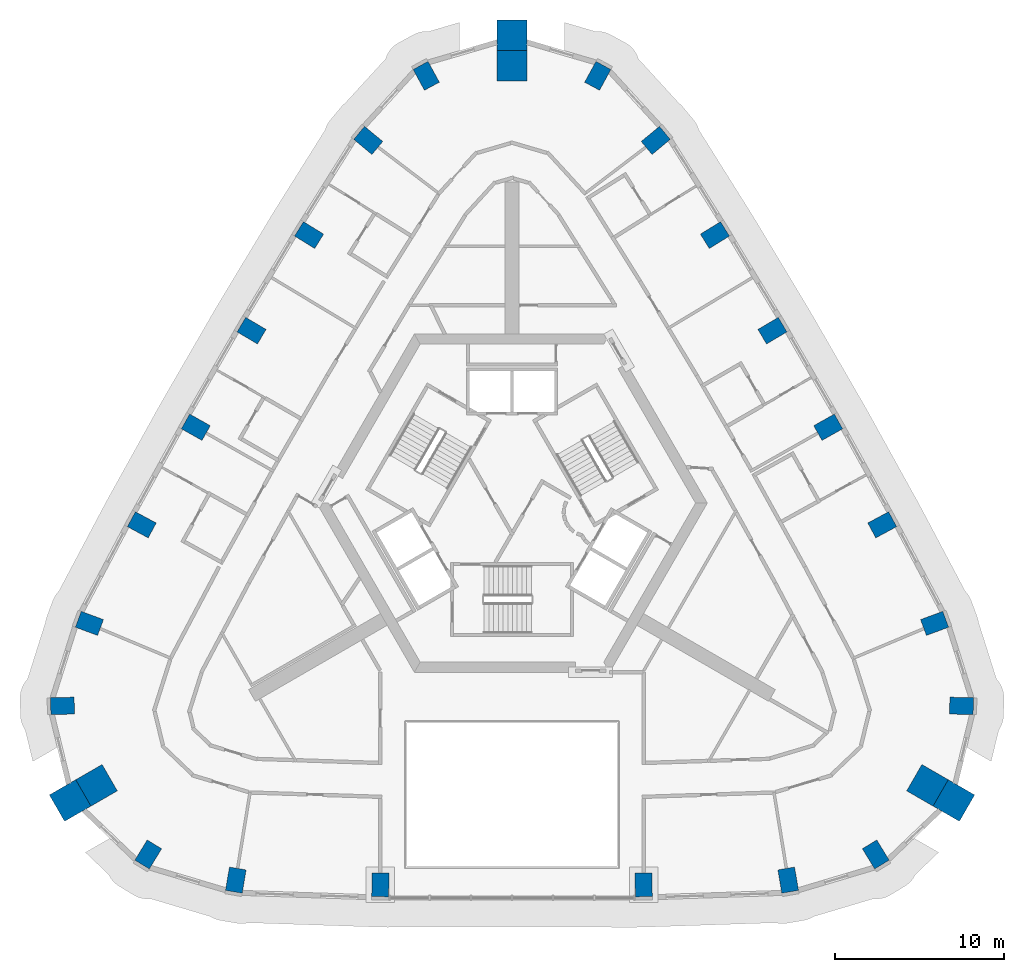
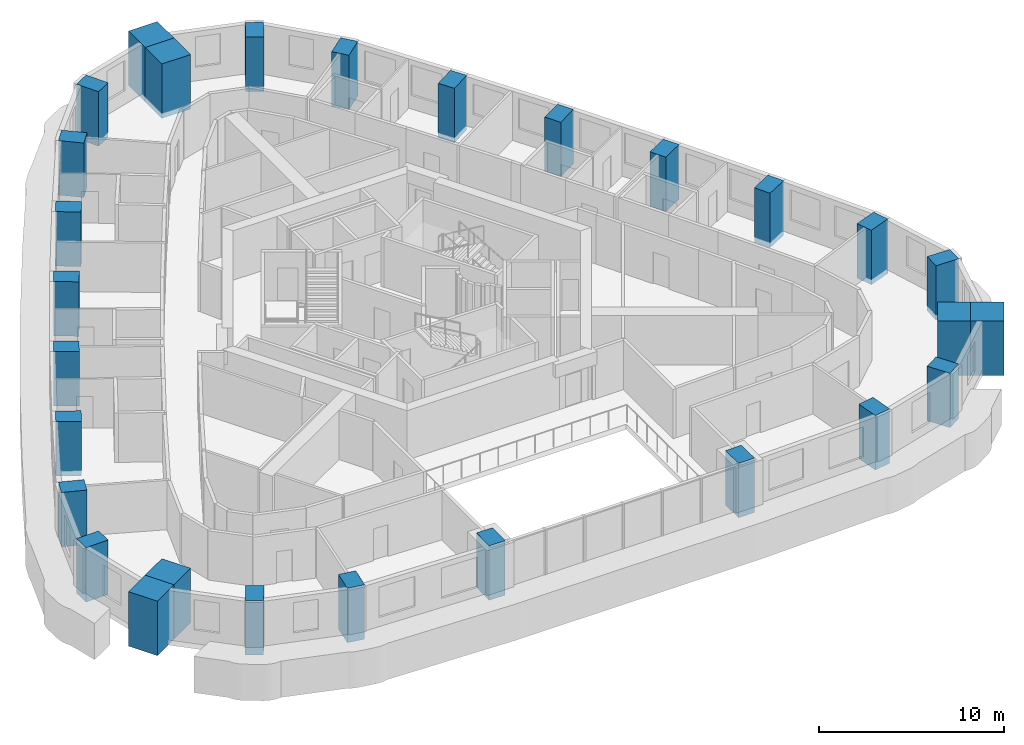
# One storey, part 1 of 13: 28 columns.
"""IFC4 building model written with IfcOpenShell, lengths in metres."""

from ifc_helpers import new_model, si_unit, direction, frame, origin, origin_2d, place, context, subcontext, project, spatial, rectangle, extrude, material, material_profile, profile_set, type_object, element, save


model = new_model("IFC4")

# Units and contexts
model_context = context("Model", 3, precision=1e-05, world=origin(), true_north=direction((0.0, 1.0)))
body_context = subcontext(model_context, "Body", "Model", "MODEL_VIEW")
ifc_project = project(units=[si_unit("LENGTHUNIT", "METRE"), si_unit("AREAUNIT", "SQUARE_METRE"), si_unit("VOLUMEUNIT", "CUBIC_METRE"), si_unit("PLANEANGLEUNIT", "RADIAN"), si_unit("MASSUNIT", "GRAM", prefix="KILO")], contexts=[model_context])

# Site, building, storey
site_placement = place(None, origin())
site = spatial("IfcSite", under=ifc_project, at=site_placement, CompositionType="ELEMENT")
building_placement = place(site_placement, origin())
building = spatial("IfcBuilding", under=site, at=building_placement, Name="Entoto Arch Interchange Tower", CompositionType="ELEMENT")
storey_placement = place(building_placement, frame((0.0, 0.0, 266.60009765625)))
storey = spatial("IfcBuildingStorey", under=building, at=storey_placement, Name="L61", CompositionType="ELEMENT", Elevation=266.60009765625)

# Columns
ifc_material_1 = material(Name="Concrete C40/50", Category="concrete")
ifc_material_profile_1 = material_profile(ifc_material_1, rectangle(XDim=1.0, YDim=1.39990234375, at=origin_2d()))
ifc_profile_set_1 = profile_set([ifc_material_profile_1], Name="Concrete C40/50")
column_type_1 = type_object("IfcColumnType", Name="Column RC 1000x1400 C40/50", PredefinedType="COLUMN", material=ifc_profile_set_1)
for number, where, z_axis, x_axis, name in (
    (1, (-16.330078125, -19.79296875, -0.340087890625), (0.0, 0.0, 1.0), (-0.985952343326, 0.167026874157, 0.0), "Column S01 L61"),
    (2, (-7.783935546875, -20.069091796875, -0.340087890625), (0.0, 0.0, 1.0), (-0.999832723398, 0.018290030661, 0.0), "Column S02 L61"),
    (3, (7.783935546875, -20.069091796875, -0.340087890625), (0.0, 0.0, 1.0), (0.999832723398, 0.018290030661, 0.0), "Column S03 L61"),
    (4, (16.330078125, -19.79296875, -0.340087890625), (0.0, 0.0, 1.0), (0.985952343326, 0.167026874157, 0.0), "Column S04 L61"),
    (5, (21.508056640625, -18.27392578125, -0.340087890625), (0.0, 0.0, 1.0), (0.853341581839, 0.521352227103, 0.0), "Column SE1 L61"),
    (6, (26.5791015625, -9.489013671875, -0.340087890625), (0.0, 0.0, 1.0), (0.024833482072, 0.999691601529, 0.0), "Column SE3 L61"),
    (7, (24.988037109375, -4.611083984375, -0.340087890625), (0.0, 0.0, 1.0), (-0.346853804003, 0.937919206888, 0.0), "Column NE01 L61"),
    (8, (21.889892578125, 1.217041015625, -0.340087890625), (0.0, 0.0, 1.0), (-0.473980634908, 0.880535267739, 0.0), "Column NE02 L61"),
    (9, (18.696044921875, 6.987060546875, -0.340087890625), (0.0, 0.0, 1.0), (-0.491375053773, 0.870948079124, 0.0), "Column NE03 L61"),
    (10, (15.39892578125, 12.697021484375, -0.340087890625), (0.0, 0.0, 1.0), (-0.508575635012, 0.861017318916, 0.0), "Column NE04 L61"),
    (11, (11.9990234375, 18.34912109375, -0.340087890625), (0.0, 0.0, 1.0), (-0.525575593337, 0.850746904601, 0.0), "Column NE05 L61"),
    (12, (8.5, 23.946044921875, -0.340087890625), (0.0, 0.0, 1.0), (-0.638834957861, 0.769343809109, 0.0), "Column NE06 L61"),
    (13, (5.071044921875, 27.763916015625, -0.340087890625), (0.0, 0.0, 1.0), (-0.87817506391, 0.478339374426, 0.0), "Column N1 L61"),
    (14, (-5.071044921875, 27.763916015625, -0.340087890625), (0.0, 0.0, 1.0), (0.87817506391, 0.478339374426, 0.0), "Column N3 L61"),
    (15, (-8.5, 23.946044921875, -0.340087890625), (0.0, 0.0, 1.0), (0.638834957861, 0.769343809109, 0.0), "Column NW01 L61"),
    (16, (-11.9990234375, 18.34912109375, -0.340087890625), (0.0, 0.0, 1.0), (0.525575593337, 0.850746904601, 0.0), "Column NW02 L61"),
    (17, (-15.39892578125, 12.697021484375, -0.340087890625), (0.0, 0.0, 1.0), (0.508575635012, 0.861017318916, 0.0), "Column NW03 L61"),
    (18, (-18.696044921875, 6.987060546875, -0.340087890625), (0.0, 0.0, 1.0), (0.491375053773, 0.870948079124, 0.0), "Column NW04 L61"),
    (19, (-21.889892578125, 1.217041015625, -0.340087890625), (0.0, 0.0, 1.0), (0.473980634908, 0.880535267739, 0.0), "Column NW05 L61"),
    (20, (-24.988037109375, -4.611083984375, -0.340087890625), (0.0, 0.0, 1.0), (0.346853804003, 0.937919206888, 0.0), "Column NW06 L61"),
    (21, (-26.5791015625, -9.489013671875, -0.340087890625), (0.0, 0.0, 1.0), (-0.024833482072, 0.999691601529, 0.0), "Column SW1 L61"),
    (22, (-21.508056640625, -18.27392578125, -0.340087890625), (0.0, 0.0, 1.0), (-0.853341581839, 0.521352227103, 0.0), "Column SW3 L61"),
):
    element("IfcColumn", number, at=place(storey_placement, frame(where, z_axis=z_axis, x_axis=x_axis)), inside=storey, type_object=column_type_1, Name=name, PredefinedType="COLUMN", context=body_context, shape_type="SweptSolid", body=[
        extrude(rectangle(XDim=1.0, YDim=1.39990234375, at=origin_2d()), origin(), (0.0, 0.0, 1.0), 3.60009765625),
    ])
ifc_material_2 = material(Name="Precast concrete C40/50", Category="concrete")
ifc_material_profile_2 = material_profile(ifc_material_2, rectangle(XDim=1.800048828125, YDim=1.800048828125, at=origin_2d()))
ifc_profile_set_2 = profile_set([ifc_material_profile_2], Name="Precast concrete C40/50")
column_type_2 = type_object("IfcColumnType", Name="Frame post RC 1800x1800 precast C40/50", PredefinedType="COLUMN", material=ifc_profile_set_2)
for number, where, z_axis, x_axis, name in (
    (23, (26.125, -15.083984375, -0.340087890625), (0.0, 0.0, 1.0), (-0.866025403784, 0.5, 0.0), "Frame post SE L61"),
    (24, (0.0, 30.1669921875, -0.340087890625), (0.0, 0.0, 1.0), (0.0, 1.0, 0.0), "Frame post N L61"),
    (25, (-26.125, -15.083984375, -0.340087890625), (0.0, 0.0, 1.0), (0.866025403784, 0.5, 0.0), "Frame post SW L61"),
):
    element("IfcColumn", number, at=place(storey_placement, frame(where, z_axis=z_axis, x_axis=x_axis)), inside=storey, type_object=column_type_2, Name=name, PredefinedType="COLUMN", context=body_context, shape_type="SweptSolid", body=[
        extrude(rectangle(XDim=1.800048828125, YDim=1.800048828125, at=origin_2d()), origin(), (0.0, 0.0, 1.0), 3.60009765625),
    ])
ifc_material_profile_3 = material_profile(ifc_material_1, rectangle(XDim=1.800048828125, YDim=1.800048828125, at=origin_2d()))
ifc_profile_set_3 = profile_set([ifc_material_profile_3], Name="Concrete C40/50")
column_type_3 = type_object("IfcColumnType", Name="Mega column RC 1800x1800 C40/50", PredefinedType="COLUMN", material=ifc_profile_set_3)
for number, where, z_axis, x_axis, name in (
    (26, (24.56591796875, -14.18408203125, -0.340087890625), (0.0, 0.0, 1.0), (-0.866025403784, 0.5, 0.0), "Corner mega column SE2 L61"),
    (27, (0.0, 28.366943359375, -0.340087890625), (0.0, 0.0, 1.0), (0.0, 1.0, 0.0), "Corner mega column N2 L61"),
    (28, (-24.56591796875, -14.18408203125, -0.340087890625), (0.0, 0.0, 1.0), (0.866025403784, 0.5, 0.0), "Corner mega column SW2 L61"),
):
    element("IfcColumn", number, at=place(storey_placement, frame(where, z_axis=z_axis, x_axis=x_axis)), inside=storey, type_object=column_type_3, Name=name, PredefinedType="COLUMN", context=body_context, shape_type="SweptSolid", body=[
        extrude(rectangle(XDim=1.800048828125, YDim=1.800048828125, at=origin_2d()), origin(), (0.0, 0.0, 1.0), 3.60009765625),
    ])

save(model, "model.ifc")
